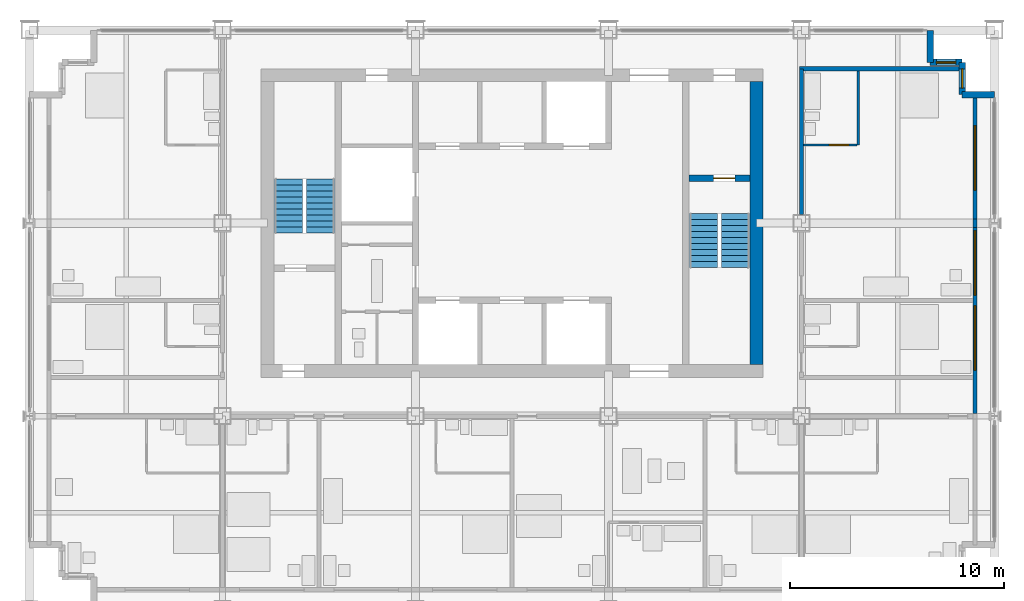
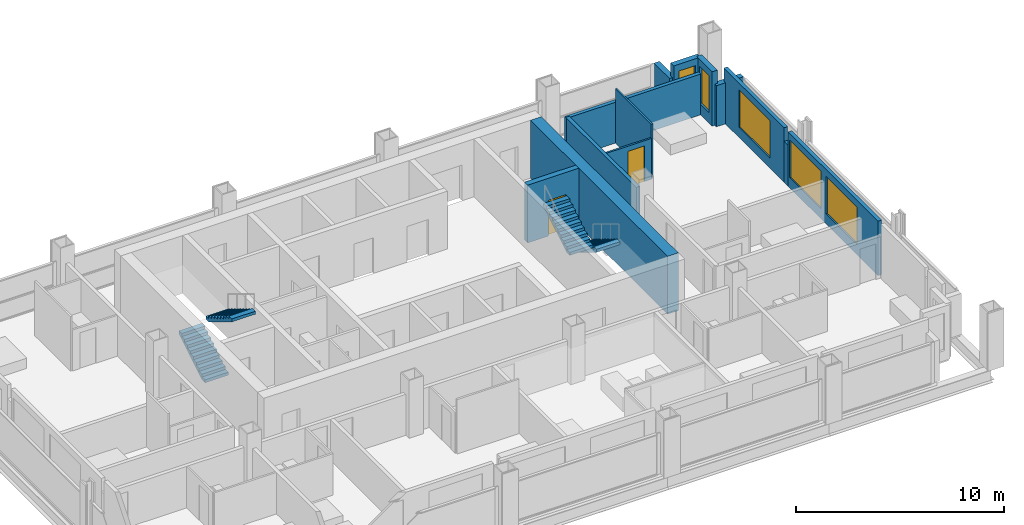
# One storey, part 10 of 13: 13 walls, 5 windows, 4 stair flights, 2 doors, 7 openings, 2 elements without a shape of their own.
"""IFC4 building model written with IfcOpenShell, lengths in metres."""

from ifc_helpers import new_model, si_unit, direction, frame, frame_2d, origin, place, context, subcontext, project, spatial, polyline, rectangle, outline, extrude, material, layer, layer_set, type_object, element, fill, aggregate, save


model = new_model("IFC4")

# Units and contexts
model_context = context("Model", 3, precision=1e-05, world=origin(), true_north=direction((0.0, 1.0)))
body_context = subcontext(model_context, "Body", "Model", "MODEL_VIEW")
ifc_project = project(units=[si_unit("LENGTHUNIT", "METRE"), si_unit("AREAUNIT", "SQUARE_METRE"), si_unit("VOLUMEUNIT", "CUBIC_METRE"), si_unit("PLANEANGLEUNIT", "RADIAN"), si_unit("MASSUNIT", "GRAM", prefix="KILO")], contexts=[model_context])

# Site, building, storey
site_placement = place(None, origin())
site = spatial("IfcSite", under=ifc_project, at=site_placement, CompositionType="ELEMENT")
building_placement = place(site_placement, origin())
building = spatial("IfcBuilding", under=site, at=building_placement, Name="Loomwork Tower", CompositionType="ELEMENT")
storey_placement = place(building_placement, frame((0.0, 0.0, 204.60009765625)))
storey = spatial("IfcBuildingStorey", under=building, at=storey_placement, Name="L56", CompositionType="ELEMENT", Elevation=204.60009765625)

# Wall, opening, door
ifc_material_1 = material(Name="Concrete 14000 psi (97 MPa)", Category="concrete")
ifc_layer_1 = layer(ifc_material_1, 0.300048828125)
ifc_layer_set_1 = layer_set([ifc_layer_1], Name="Core shear wall 300")
wall_type_1 = type_object("IfcWallType", Name="Core shear wall 300", PredefinedType="SHEAR", material=ifc_layer_set_1)
wall_1_placement = place(storey_placement, frame((30.75, 20.10009765625, 0.0), z_axis=(0.0, 0.0, 1.0), x_axis=(1.0, 0.0, 0.0)))
wall_1 = element("IfcWall", 1, at=wall_1_placement, inside=storey, type_object=wall_type_1, Name="Stair B north wall L56", PredefinedType="SHEAR", context=body_context, shape_type="SweptSolid", body=[
    extrude(rectangle(XDim=2.85009765625, YDim=0.300048828125, at=frame_2d((1.425048828125, 0.0))), origin(), (0.0, 0.0, 1.0), 3.39990234375),
])
opening_1_placement = place(wall_1_placement, frame((1.14990234375, 0.0, 0.0)))
opening_1 = element("IfcOpeningElement", 2, at=opening_1_placement, cuts=wall_1, Name="Opening D4", PredefinedType="OPENING", context=body_context, shape_type="SweptSolid", body=[
    extrude(rectangle(XDim=1.0, YDim=2.10009765625, at=frame_2d((0.5, 1.050048828125))), frame((0.0, 0.159912109375, 0.0), z_axis=(0.0, -1.0, 0.0), x_axis=(1.0, 0.0, 0.0)), (0.0, 0.0, 1.0), 0.320068359375),
])
ifc_material_2 = material(Name="Hollow metal door and frame")
door_type_1 = type_object("IfcDoorType", Name="Stair door 1000", OperationType="SINGLE_SWING_RIGHT", PredefinedType="DOOR", material=ifc_material_2)
door_1_placement = place(opening_1_placement, frame((1.0, 0.0, 0.0), z_axis=(0.0, 0.0, 1.0), x_axis=(-1.0, 0.0, 0.0)))
door_1 = element("IfcDoor", 3, at=door_1_placement, inside=storey, type_object=door_type_1, Name="Stair B door", OperationType="SINGLE_SWING_LEFT", OverallHeight=2.10009765625, OverallWidth=1.0, PredefinedType="DOOR", context=body_context, shape_type="SweptSolid", body=[
    extrude(rectangle(XDim=1.0, YDim=2.10009765625, at=frame_2d((0.5, 1.050048828125))), frame((0.0, 0.02490234375, 0.0), z_axis=(0.0, -1.0, 0.0), x_axis=(1.0, 0.0, 0.0)), (0.0, 0.0, 1.0), 0.050048828125),
])
fill(opening_1, door_1)

# Walls
ifc_material_3 = material(Name="Concrete 14000 psi (97 MPa)", Category="concrete")
ifc_layer_2 = layer(ifc_material_3, 0.60009765625)
ifc_layer_set_2 = layer_set([ifc_layer_2], Name="Core shear wall 600")
wall_type_2 = type_object("IfcWallType", Name="Core shear wall 600", PredefinedType="SHEAR", material=ifc_layer_set_2)
wall_2_placement = place(storey_placement, frame((33.89990234375, 11.39990234375, 0.0), z_axis=(0.0, 0.0, 1.0), x_axis=(0.0, 1.0, 0.0)))
element("IfcWall", 4, at=wall_2_placement, inside=storey, type_object=wall_type_2, Name="Core wall east L56", PredefinedType="SHEAR", context=body_context, shape_type="SweptSolid", body=[
    extrude(rectangle(XDim=13.2001953125, YDim=0.60009765625, at=frame_2d((6.60009765625, 0.0))), origin(), (0.0, 0.0, 1.0), 3.39990234375),
])
ifc_material_4 = material(Name="Gypsum board on steel studs, one-hour", Category="steel")
ifc_layer_3 = layer(ifc_material_4, 0.199951171875)
ifc_layer_set_3 = layer_set([ifc_layer_3], Name="Corridor wall 200")
wall_type_3 = type_object("IfcWallType", Name="Corridor wall 200", PredefinedType="PARTITIONING", material=ifc_layer_set_3)
wall_3_placement = place(storey_placement, frame((36.0, 18.39990234375, 0.0), z_axis=(0.0, 0.0, 1.0), x_axis=(0.0, 1.0, 0.0)))
element("IfcWall", 5, at=wall_3_placement, inside=storey, type_object=wall_type_3, Name="East corridor wall 2", PredefinedType="PARTITIONING", context=body_context, shape_type="SweptSolid", body=[
    extrude(rectangle(XDim=6.800048828125, YDim=0.199951171875, at=frame_2d((3.39990234375, 0.0))), origin(), (0.0, 0.0, 1.0), 2.40478515625),
])
wall_4_placement = place(storey_placement, frame((35.89990234375, 25.199951171875, 0.0), z_axis=(0.0, 0.0, 1.0), x_axis=(1.0, 0.0, 0.0)))
element("IfcWall", 6, at=wall_4_placement, inside=storey, type_object=wall_type_3, Name="East band end wall N", PredefinedType="PARTITIONING", context=body_context, shape_type="SweptSolid", body=[
    extrude(rectangle(XDim=7.4501953125, YDim=0.199951171875, at=frame_2d((3.72509765625, 0.0))), origin(), (0.0, 0.0, 1.0), 2.40380859375),
])
ifc_material_5 = material(Name="Cement board on steel studs", Category="steel")
ifc_layer_4 = layer(ifc_material_5, 0.10009765625)
ifc_layer_set_4 = layer_set([ifc_layer_4], Name="En-suite partition 100")
wall_type_4 = type_object("IfcWallType", Name="En-suite partition 100", PredefinedType="PARTITIONING", material=ifc_layer_set_4)
wall_5_placement = place(storey_placement, frame((38.64990234375, 21.64990234375, 0.0), z_axis=(0.0, 0.0, 1.0), x_axis=(0.0, 1.0, 0.0)))
element("IfcWall", 7, at=wall_5_placement, inside=storey, type_object=wall_type_4, Name="En-suite wall L56 room 10", PredefinedType="PARTITIONING", context=body_context, shape_type="SweptSolid", body=[
    extrude(rectangle(XDim=3.4501953125, YDim=0.10009765625, at=frame_2d((1.72509765625, 0.0))), origin(), (0.0, 0.0, 1.0), 3.199951171875),
])

# Wall, opening, door
wall_6_placement = place(storey_placement, frame((36.10009765625, 21.64990234375, 0.0), z_axis=(0.0, 0.0, 1.0), x_axis=(1.0, 0.0, 0.0)))
wall_6 = element("IfcWall", 8, at=wall_6_placement, inside=storey, type_object=wall_type_4, Name="En-suite side wall L56 room 10", PredefinedType="PARTITIONING", context=body_context, shape_type="SweptSolid", body=[
    extrude(rectangle(XDim=2.5, YDim=0.10009765625, at=frame_2d((1.25, 0.0))), origin(), (0.0, 0.0, 1.0), 2.40380859375),
])
opening_2_placement = place(wall_6_placement, frame((1.199951171875, 0.0, 0.0)))
opening_2 = element("IfcOpeningElement", 9, at=opening_2_placement, cuts=wall_6, Name="Opening D2", PredefinedType="OPENING", context=body_context, shape_type="SweptSolid", body=[
    extrude(rectangle(XDim=0.89990234375, YDim=2.10009765625, at=frame_2d((0.449951171875, 1.050048828125))), frame((0.0, 0.06005859375, 0.0), z_axis=(0.0, -1.0, 0.0), x_axis=(1.0, 0.0, 0.0)), (0.0, 0.0, 1.0), 0.1201171875),
])
ifc_material_6 = material(Name="Hollow metal door and frame")
door_type_2 = type_object("IfcDoorType", Name="En-suite door 900", OperationType="SINGLE_SWING_LEFT", PredefinedType="DOOR", material=ifc_material_6)
door_2_placement = place(opening_2_placement, origin())
door_2 = element("IfcDoor", 10, at=door_2_placement, inside=storey, type_object=door_type_2, Name="En-suite door room 10", OperationType="SINGLE_SWING_RIGHT", OverallHeight=2.10009765625, OverallWidth=0.89990234375, PredefinedType="DOOR", context=body_context, shape_type="SweptSolid", body=[
    extrude(rectangle(XDim=0.89990234375, YDim=2.10009765625, at=frame_2d((0.449951171875, 1.050048828125))), frame((0.0, 0.02490234375, 0.0), z_axis=(0.0, -1.0, 0.0), x_axis=(1.0, 0.0, 0.0)), (0.0, 0.0, 1.0), 0.050048828125),
])
fill(opening_2, door_2)

# Wall, openings, windows
ifc_material_7 = material(Name="Insulated steel stud wall with gypsum lining", Category="steel")
ifc_layer_5 = layer(ifc_material_7, 0.199951171875)
ifc_layer_set_5 = layer_set([ifc_layer_5], Name="Inner skin wall 200")
wall_type_5 = type_object("IfcWallType", Name="Inner skin wall 200", PredefinedType="SOLIDWALL", material=ifc_layer_set_5)
wall_7_placement = place(storey_placement, frame((44.10009765625, 9.13525390625, 0.0), z_axis=(0.0, 0.0, 1.0), x_axis=(0.0, 1.0, 0.0)))
wall_7 = element("IfcWall", 11, at=wall_7_placement, inside=storey, type_object=wall_type_5, Name="Inner skin wall E bay 5", PredefinedType="SOLIDWALL", context=body_context, shape_type="SweptSolid", body=[
    extrude(rectangle(XDim=8.6708984375, YDim=0.199951171875, at=frame_2d((4.33544921875, 0.0))), origin(), (0.0, 0.0, 1.0), 3.199951171875),
])
opening_3_placement = place(wall_7_placement, frame((2.0146484375, 0.0, 0.60009765625)))
opening_3 = element("IfcOpeningElement", 12, at=opening_3_placement, cuts=wall_7, Name="Opening CH1", PredefinedType="OPENING", context=body_context, shape_type="SweptSolid", body=[
    extrude(rectangle(XDim=3.0, YDim=2.199951171875, at=frame_2d((1.5, 1.10009765625))), frame((0.0, 0.10986328125, 0.0), z_axis=(0.0, -1.0, 0.0), x_axis=(1.0, 0.0, 0.0)), (0.0, 0.0, 1.0), 0.219970703125),
])
opening_4_placement = place(wall_7_placement, frame((5.5146484375, 0.0, 0.60009765625)))
opening_4 = element("IfcOpeningElement", 13, at=opening_4_placement, cuts=wall_7, Name="Opening CH1", PredefinedType="OPENING", context=body_context, shape_type="SweptSolid", body=[
    extrude(rectangle(XDim=3.0, YDim=2.199951171875, at=frame_2d((1.5, 1.10009765625))), frame((0.0, 0.10986328125, 0.0), z_axis=(0.0, -1.0, 0.0), x_axis=(1.0, 0.0, 0.0)), (0.0, 0.0, 1.0), 0.219970703125),
])
ifc_material_8 = material(Name="Aluminium frame with clear insulated glass", Category="aluminium")
window_type_1 = type_object("IfcWindowType", Name="Chicago window 3000", PartitioningType="TRIPLE_PANEL_VERTICAL", PredefinedType="WINDOW", material=ifc_material_8)
window_1_placement = place(opening_3_placement, origin())
window_1 = element("IfcWindow", 14, at=window_1_placement, inside=storey, type_object=window_type_1, Name="Chicago window L56 bay 8", OverallHeight=2.199951171875, OverallWidth=3.0, PartitioningType="TRIPLE_PANEL_VERTICAL", PredefinedType="WINDOW", context=body_context, shape_type="SweptSolid", body=[
    extrude(rectangle(XDim=3.0, YDim=2.199951171875, at=frame_2d((1.5, 1.10009765625))), frame((0.0, 0.030029296875, 0.0), z_axis=(0.0, -1.0, 0.0), x_axis=(1.0, 0.0, 0.0)), (0.0, 0.0, 1.0), 0.06005859375),
])
fill(opening_3, window_1)
window_2_placement = place(opening_4_placement, origin())
window_2 = element("IfcWindow", 15, at=window_2_placement, inside=storey, type_object=window_type_1, Name="Chicago window L56 bay 8", OverallHeight=2.199951171875, OverallWidth=3.0, PartitioningType="TRIPLE_PANEL_VERTICAL", PredefinedType="WINDOW", context=body_context, shape_type="SweptSolid", body=[
    extrude(rectangle(XDim=3.0, YDim=2.199951171875, at=frame_2d((1.5, 1.10009765625))), frame((0.0, 0.030029296875, 0.0), z_axis=(0.0, -1.0, 0.0), x_axis=(1.0, 0.0, 0.0)), (0.0, 0.0, 1.0), 0.06005859375),
])
fill(opening_4, window_2)

# Wall
wall_8_placement = place(storey_placement, frame((44.10009765625, 17.80615234375, 0.0), z_axis=(0.0, 0.0, 1.0), x_axis=(0.0, 1.0, 0.0)))
element("IfcWall", 16, at=wall_8_placement, inside=storey, type_object=wall_type_5, Name="Inner skin wall E bay 6", PredefinedType="SOLIDWALL", context=body_context, shape_type="SweptSolid", body=[
    extrude(rectangle(XDim=0.3876953125, YDim=0.199951171875, at=frame_2d((0.19384765625, 0.0))), origin(), (0.0, 0.0, 1.0), 2.40380859375),
])

# Wall, opening, window
wall_9_placement = place(storey_placement, frame((44.10009765625, 18.19384765625, 0.0), z_axis=(0.0, 0.0, 1.0), x_axis=(0.0, 1.0, 0.0)))
wall_9 = element("IfcWall", 17, at=wall_9_placement, inside=storey, type_object=wall_type_5, Name="Inner skin wall E bay 7", PredefinedType="SOLIDWALL", context=body_context, shape_type="SweptSolid", body=[
    extrude(rectangle(XDim=5.80615234375, YDim=0.199951171875, at=frame_2d((2.903076171875, 0.0))), origin(), (0.0, 0.0, 1.0), 3.199951171875),
])
opening_5_placement = place(wall_9_placement, frame((1.356201171875, 0.0, 0.60009765625)))
opening_5 = element("IfcOpeningElement", 18, at=opening_5_placement, cuts=wall_9, Name="Opening CH1", PredefinedType="OPENING", context=body_context, shape_type="SweptSolid", body=[
    extrude(rectangle(XDim=3.0, YDim=2.199951171875, at=frame_2d((1.5, 1.10009765625))), frame((0.0, 0.10986328125, 0.0), z_axis=(0.0, -1.0, 0.0), x_axis=(1.0, 0.0, 0.0)), (0.0, 0.0, 1.0), 0.219970703125),
])
window_3_placement = place(opening_5_placement, origin())
window_3 = element("IfcWindow", 19, at=window_3_placement, inside=storey, type_object=window_type_1, Name="Chicago window L56 bay 9", OverallHeight=2.199951171875, OverallWidth=3.0, PartitioningType="TRIPLE_PANEL_VERTICAL", PredefinedType="WINDOW", context=body_context, shape_type="SweptSolid", body=[
    extrude(rectangle(XDim=3.0, YDim=2.199951171875, at=frame_2d((1.5, 1.10009765625))), frame((0.0, 0.030029296875, 0.0), z_axis=(0.0, -1.0, 0.0), x_axis=(1.0, 0.0, 0.0)), (0.0, 0.0, 1.0), 0.06005859375),
])
fill(opening_5, window_3)

# Wall
ifc_material_9 = material(Name="Limestone on concrete masonry", Category="masonry")
ifc_layer_6 = layer(ifc_material_9, 0.300048828125)
ifc_layer_set_6 = layer_set([ifc_layer_6], Name="Limestone corner wall 300")
wall_type_6 = type_object("IfcWallType", Name="Limestone corner wall 300", PredefinedType="SOLIDWALL", material=ifc_layer_set_6)
wall_10_placement = place(storey_placement, frame((45.0, 24.0, 0.0), z_axis=(0.0, 0.0, 1.0), x_axis=(-1.0, 0.0, 0.0)))
element("IfcWall", 20, at=wall_10_placement, inside=storey, type_object=wall_type_6, Name="Stone corner wall NE 1", PredefinedType="SOLIDWALL", context=body_context, shape_type="SweptSolid", body=[
    extrude(rectangle(XDim=1.5, YDim=0.300048828125, at=frame_2d((0.75, 0.0))), origin(), (0.0, 0.0, 1.0), 2.419921875),
])

# Wall, opening, window
wall_11_placement = place(storey_placement, frame((43.5, 24.0, 0.0), z_axis=(0.0, 0.0, 1.0), x_axis=(0.0, 1.0, 0.0)))
wall_11 = element("IfcWall", 21, at=wall_11_placement, inside=storey, type_object=wall_type_6, Name="Stone corner wall NE 2", PredefinedType="SOLIDWALL", context=body_context, shape_type="SweptSolid", body=[
    extrude(rectangle(XDim=1.5, YDim=0.300048828125, at=frame_2d((0.75, 0.0))), origin(), (0.0, 0.0, 1.0), 3.199951171875),
])
opening_6_placement = place(wall_11_placement, frame((0.300048828125, 0.0, 0.60009765625)))
opening_6 = element("IfcOpeningElement", 22, at=opening_6_placement, cuts=wall_11, Name="Opening CH2", PredefinedType="OPENING", context=body_context, shape_type="SweptSolid", body=[
    extrude(rectangle(XDim=0.89990234375, YDim=2.199951171875, at=frame_2d((0.449951171875, 1.10009765625))), frame((0.0, 0.159912109375, 0.0), z_axis=(0.0, -1.0, 0.0), x_axis=(1.0, 0.0, 0.0)), (0.0, 0.0, 1.0), 0.320068359375),
])
ifc_material_10 = material(Name="Aluminium frame with clear insulated glass", Category="aluminium")
window_type_2 = type_object("IfcWindowType", Name="Corner window 900", PartitioningType="SINGLE_PANEL", PredefinedType="WINDOW", material=ifc_material_10)
window_4_placement = place(opening_6_placement, origin())
window_4 = element("IfcWindow", 23, at=window_4_placement, inside=storey, type_object=window_type_2, Name="Corner window NE", OverallHeight=2.199951171875, OverallWidth=0.89990234375, PartitioningType="SINGLE_PANEL", PredefinedType="WINDOW", context=body_context, shape_type="SweptSolid", body=[
    extrude(rectangle(XDim=0.89990234375, YDim=2.199951171875, at=frame_2d((0.449951171875, 1.10009765625))), frame((0.0, 0.030029296875, 0.0), z_axis=(0.0, -1.0, 0.0), x_axis=(1.0, 0.0, 0.0)), (0.0, 0.0, 1.0), 0.06005859375),
])
fill(opening_6, window_4)

wall_12_placement = place(storey_placement, frame((43.5, 25.5, 0.0), z_axis=(0.0, 0.0, 1.0), x_axis=(-1.0, 0.0, 0.0)))
wall_12 = element("IfcWall", 24, at=wall_12_placement, inside=storey, type_object=wall_type_6, Name="Stone corner wall NE 3", PredefinedType="SOLIDWALL", context=body_context, shape_type="SweptSolid", body=[
    extrude(rectangle(XDim=1.5, YDim=0.300048828125, at=frame_2d((0.75, 0.0))), origin(), (0.0, 0.0, 1.0), 3.199951171875),
])
opening_7_placement = place(wall_12_placement, frame((0.300048828125, 0.0, 0.60009765625)))
opening_7 = element("IfcOpeningElement", 25, at=opening_7_placement, cuts=wall_12, Name="Opening CH2", PredefinedType="OPENING", context=body_context, shape_type="SweptSolid", body=[
    extrude(rectangle(XDim=0.89990234375, YDim=2.199951171875, at=frame_2d((0.449951171875, 1.10009765625))), frame((0.0, 0.159912109375, 0.0), z_axis=(0.0, -1.0, 0.0), x_axis=(1.0, 0.0, 0.0)), (0.0, 0.0, 1.0), 0.320068359375),
])
window_5_placement = place(opening_7_placement, origin())
window_5 = element("IfcWindow", 26, at=window_5_placement, inside=storey, type_object=window_type_2, Name="Corner window NE", OverallHeight=2.199951171875, OverallWidth=0.89990234375, PartitioningType="SINGLE_PANEL", PredefinedType="WINDOW", context=body_context, shape_type="SweptSolid", body=[
    extrude(rectangle(XDim=0.89990234375, YDim=2.199951171875, at=frame_2d((0.449951171875, 1.10009765625))), frame((0.0, 0.030029296875, 0.0), z_axis=(0.0, -1.0, 0.0), x_axis=(1.0, 0.0, 0.0)), (0.0, 0.0, 1.0), 0.06005859375),
])
fill(opening_7, window_5)

# Wall
wall_13_placement = place(storey_placement, frame((42.0, 25.5, 0.0), z_axis=(0.0, 0.0, 1.0), x_axis=(0.0, 1.0, 0.0)))
element("IfcWall", 27, at=wall_13_placement, inside=storey, type_object=wall_type_6, Name="Stone corner wall NE 4", PredefinedType="SOLIDWALL", context=body_context, shape_type="SweptSolid", body=[
    extrude(rectangle(XDim=1.5, YDim=0.300048828125, at=frame_2d((0.75, 0.0))), origin(), (0.0, 0.0, 1.0), 2.419921875),
])

# Stair, stair flights
ifc_material_11 = material(Name="Concrete 5000 psi (34 MPa) precast stair", Category="concrete")
stair_type_1 = type_object("IfcStairType", Name="Stair ST-A 20 risers 2850 wide", PredefinedType="HALF_TURN_STAIR", material=ifc_material_11)
stair_1_placement = place(storey_placement, origin())
stair_1 = element("IfcStair", 28, at=stair_1_placement, inside=storey, type_object=stair_type_1, Name="Stair A L56", PredefinedType="HALF_TURN_STAIR")
ifc_material_12 = material(Name="Concrete 5000 psi (34 MPa) precast stair", Category="concrete")
stair_flight_type_1 = type_object("IfcStairFlightType", Name="Stair flight ST-A 10 risers 1300 wide", PredefinedType="STRAIGHT", material=ifc_material_12)
stair_flight_1_placement = place(storey_placement, frame((12.074951171875, 17.550048828125, 0.0), z_axis=(0.0, 0.0, 1.0), x_axis=(0.0, 1.0, 0.0)))
stair_flight_1 = element("IfcStairFlight", 29, at=stair_flight_1_placement, type_object=stair_flight_type_1, Name="ST-A flight 1", NumberOfRisers=10, NumberOfTreads=9, PredefinedType="STRAIGHT", RiserHeight=0.17, TreadLength=0.28, context=body_context, shape_type="SweptSolid", body=[
    extrude(outline(polyline([(0.0, 0.0), (0.0, 0.169921875), (0.280029296875, 0.169921875), (0.280029296875, 0.340087890625), (0.56005859375, 0.340087890625), (0.56005859375, 0.510009765625), (0.840087890625, 0.510009765625), (0.840087890625, 0.679931640625), (1.1201171875, 0.679931640625), (1.1201171875, 0.85009765625), (1.39990234375, 0.85009765625), (1.39990234375, 1.02001953125), (1.679931640625, 1.02001953125), (1.679931640625, 1.18994140625), (1.9599609375, 1.18994140625), (1.9599609375, 1.360107421875), (2.239990234375, 1.360107421875), (2.239990234375, 1.530029296875), (2.52001953125, 1.530029296875), (2.52001953125, 1.699951171875), (2.52001953125, 1.354736328125), (0.288818359375, 0.0), (0.0, 0.0)])), frame((0.0, 0.64990234375, 0.0), z_axis=(0.0, -1.0, 0.0), x_axis=(1.0, 0.0, 0.0)), (0.0, 0.0, 1.0), 1.300048828125),
])
stair_flight_2_placement = place(storey_placement, frame((13.574951171875, 20.070068359375, 1.699951171875), z_axis=(0.0, 0.0, 1.0), x_axis=(0.0, -1.0, 0.0)))
stair_flight_2 = element("IfcStairFlight", 30, at=stair_flight_2_placement, type_object=stair_flight_type_1, Name="ST-A flight 2", NumberOfRisers=10, NumberOfTreads=9, PredefinedType="STRAIGHT", RiserHeight=0.17, TreadLength=0.28, context=body_context, shape_type="SweptSolid", body=[
    extrude(outline(polyline([(0.0, 0.0), (0.0, 0.169921875), (0.280029296875, 0.169921875), (0.280029296875, 0.340087890625), (0.56005859375, 0.340087890625), (0.56005859375, 0.510009765625), (0.840087890625, 0.510009765625), (0.840087890625, 0.679931640625), (1.1201171875, 0.679931640625), (1.1201171875, 0.85009765625), (1.39990234375, 0.85009765625), (1.39990234375, 1.02001953125), (1.679931640625, 1.02001953125), (1.679931640625, 1.18994140625), (1.9599609375, 1.18994140625), (1.9599609375, 1.360107421875), (2.239990234375, 1.360107421875), (2.239990234375, 1.530029296875), (2.52001953125, 1.530029296875), (2.52001953125, 1.699951171875), (2.52001953125, 1.354736328125), (0.288818359375, 0.0), (0.0, 0.0)])), frame((0.0, 0.64990234375, 0.0), z_axis=(0.0, -1.0, 0.0), x_axis=(1.0, 0.0, 0.0)), (0.0, 0.0, 1.0), 1.300048828125),
])
aggregate(stair_1, [stair_flight_1, stair_flight_2])

ifc_material_13 = material(Name="Concrete 5000 psi (34 MPa) precast stair", Category="concrete")
stair_type_2 = type_object("IfcStairType", Name="Stair ST-B 20 risers 2850 wide", PredefinedType="HALF_TURN_STAIR", material=ifc_material_13)
stair_2_placement = place(storey_placement, origin())
stair_2 = element("IfcStair", 31, at=stair_2_placement, inside=storey, type_object=stair_type_2, Name="Stair B L56", PredefinedType="HALF_TURN_STAIR")
ifc_material_14 = material(Name="Concrete 5000 psi (34 MPa) precast stair", Category="concrete")
stair_flight_type_2 = type_object("IfcStairFlightType", Name="Stair flight ST-B 10 risers 1300 wide", PredefinedType="STRAIGHT", material=ifc_material_14)
stair_flight_3_placement = place(storey_placement, frame((32.925048828125, 18.449951171875, 0.0), z_axis=(0.0, 0.0, 1.0), x_axis=(0.0, -1.0, 0.0)))
stair_flight_3 = element("IfcStairFlight", 32, at=stair_flight_3_placement, type_object=stair_flight_type_2, Name="ST-B flight 1", NumberOfRisers=10, NumberOfTreads=9, PredefinedType="STRAIGHT", RiserHeight=0.17, TreadLength=0.28, context=body_context, shape_type="SweptSolid", body=[
    extrude(outline(polyline([(0.0, 0.0), (0.0, 0.169921875), (0.280029296875, 0.169921875), (0.280029296875, 0.340087890625), (0.56005859375, 0.340087890625), (0.56005859375, 0.510009765625), (0.840087890625, 0.510009765625), (0.840087890625, 0.679931640625), (1.1201171875, 0.679931640625), (1.1201171875, 0.85009765625), (1.39990234375, 0.85009765625), (1.39990234375, 1.02001953125), (1.679931640625, 1.02001953125), (1.679931640625, 1.18994140625), (1.9599609375, 1.18994140625), (1.9599609375, 1.360107421875), (2.239990234375, 1.360107421875), (2.239990234375, 1.530029296875), (2.52001953125, 1.530029296875), (2.52001953125, 1.699951171875), (2.52001953125, 1.354736328125), (0.288818359375, 0.0), (0.0, 0.0)])), frame((0.0, 0.64990234375, 0.0), z_axis=(0.0, -1.0, 0.0), x_axis=(1.0, 0.0, 0.0)), (0.0, 0.0, 1.0), 1.300048828125),
])
stair_flight_4_placement = place(storey_placement, frame((31.425048828125, 15.929931640625, 1.699951171875), z_axis=(0.0, 0.0, 1.0), x_axis=(0.0, 1.0, 0.0)))
stair_flight_4 = element("IfcStairFlight", 33, at=stair_flight_4_placement, type_object=stair_flight_type_2, Name="ST-B flight 2", NumberOfRisers=10, NumberOfTreads=9, PredefinedType="STRAIGHT", RiserHeight=0.17, TreadLength=0.28, context=body_context, shape_type="SweptSolid", body=[
    extrude(outline(polyline([(0.0, 0.0), (0.0, 0.169921875), (0.280029296875, 0.169921875), (0.280029296875, 0.340087890625), (0.56005859375, 0.340087890625), (0.56005859375, 0.510009765625), (0.840087890625, 0.510009765625), (0.840087890625, 0.679931640625), (1.1201171875, 0.679931640625), (1.1201171875, 0.85009765625), (1.39990234375, 0.85009765625), (1.39990234375, 1.02001953125), (1.679931640625, 1.02001953125), (1.679931640625, 1.18994140625), (1.9599609375, 1.18994140625), (1.9599609375, 1.360107421875), (2.239990234375, 1.360107421875), (2.239990234375, 1.530029296875), (2.52001953125, 1.530029296875), (2.52001953125, 1.699951171875), (2.52001953125, 1.354736328125), (0.288818359375, 0.0), (0.0, 0.0)])), frame((0.0, 0.64990234375, 0.0), z_axis=(0.0, -1.0, 0.0), x_axis=(1.0, 0.0, 0.0)), (0.0, 0.0, 1.0), 1.300048828125),
])
aggregate(stair_2, [stair_flight_3, stair_flight_4])

save(model, "model.ifc")
